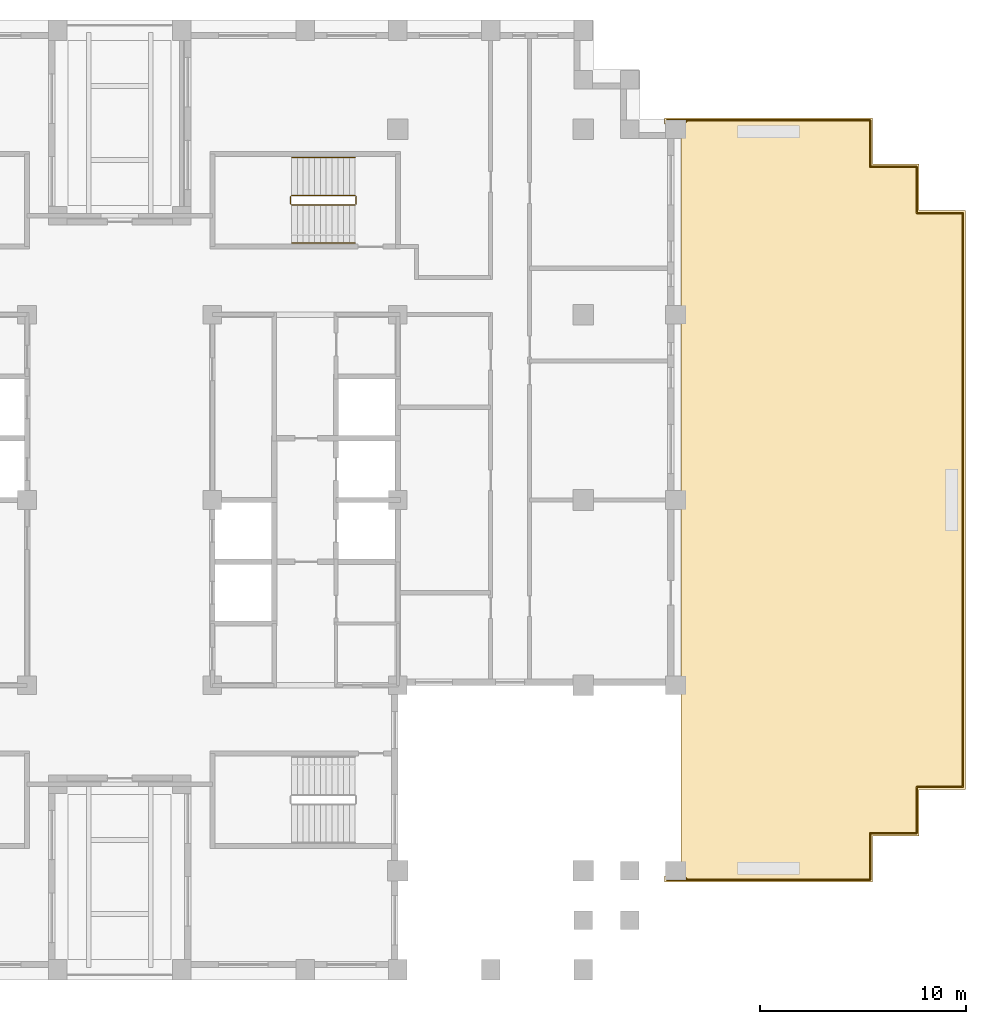
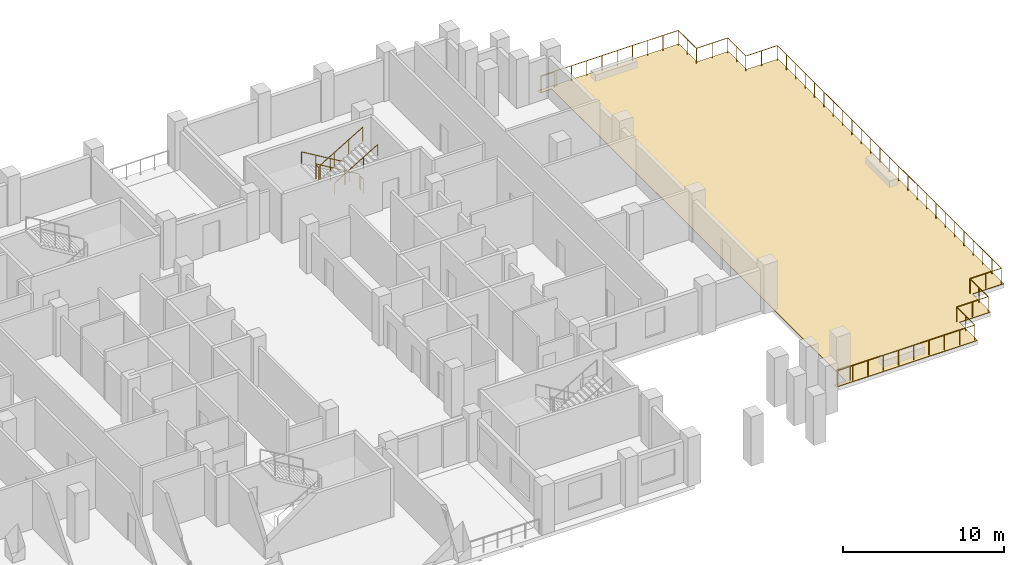
# One storey, part 12 of 12: 2 railings, 1 covering.
"""IFC4 building model written with IfcOpenShell, lengths in metres."""

import ifcopenshell
import ifcopenshell.guid

model = None  # the IFC model being written
_history = None  # IfcOwnerHistory: only IFC2X3 demands one
_inside = {}  # id of a spatial element -> (the spatial element, [elements in it])
_under = {}  # id of a project, library or spatial element -> (it, [spatial elements below it])
_declared = {}  # id of a project -> (the project, [libraries it declares])
_typed = {}  # id of a type object -> (the type object, [elements of that type])
_made_of = {}  # id of a material, layer set ... -> (it, [elements and type objects made of it])


def new_model(schema):
    """Start an empty IFC model of exactly this schema.

    Asked for "IFC4X3", IfcOpenShell would pick the latest addendum, in which some entities
    have other attributes; the version numbers below select the first issue.
    IFC2X3 requires an IfcOwnerHistory on every rooted entity: one is made here for all.
    """
    global model, _history
    if schema == "IFC4X3":
        model = ifcopenshell.file(schema_version=(4, 3, 0, 0))
    else:
        model = ifcopenshell.file(schema=schema)
    _inside.clear()
    _under.clear()
    _declared.clear()
    _typed.clear()
    _made_of.clear()
    _history = None
    if model.schema == "IFC2X3":
        org = make("IfcOrganization", Name="unknown")
        user = make(
            "IfcPersonAndOrganization",
            ThePerson=make("IfcPerson", FamilyName="unknown"),
            TheOrganization=org,
        )
        app = make(
            "IfcApplication",
            ApplicationDeveloper=org,
            Version="unknown",
            ApplicationFullName="unknown",
            ApplicationIdentifier="unknown",
        )
        _history = make(
            "IfcOwnerHistory",
            OwningUser=user,
            OwningApplication=app,
            ChangeAction="ADDED",
            CreationDate=0,
        )
    return model


def make(cls, **values):
    """One entity of the class cls with the attributes given. An attribute that is None is left unset."""
    return model.create_entity(
        cls, **{name: value for name, value in values.items() if value is not None}
    )


def rooted(cls, **values):
    """An entity with a GlobalId (a new one), such as an element, a storey or a relation."""
    return make(cls, GlobalId=ifcopenshell.guid.new(), OwnerHistory=_history, **values)


def si_unit(unit_type, name, prefix=None):
    """IfcSIUnit, for example si_unit("LENGTHUNIT", "METRE", prefix="MILLI")."""
    return make("IfcSIUnit", UnitType=unit_type, Prefix=prefix, Name=name)


def assignment(units):
    """IfcUnitAssignment: the units of a project."""
    return None if units is None else make("IfcUnitAssignment", Units=units)


def point(xyz):
    """IfcCartesianPoint."""
    return None if xyz is None else make("IfcCartesianPoint", Coordinates=xyz)


def direction(xyz):
    """IfcDirection."""
    return None if xyz is None else make("IfcDirection", DirectionRatios=xyz)


def frame(location, z_axis=None, x_axis=None):
    """IfcAxis2Placement3D, a coordinate frame: its origin and axes. An axis left out is left unset."""
    return make(
        "IfcAxis2Placement3D",
        Location=point(location),
        Axis=direction(z_axis),
        RefDirection=direction(x_axis),
    )


def frame_2d(location, x_axis=None):
    """IfcAxis2Placement2D, a coordinate frame in the plane: its origin and x axis."""
    return make(
        "IfcAxis2Placement2D", Location=point(location), RefDirection=direction(x_axis)
    )


def origin():
    """The frame at (0, 0, 0) with its axes left unset."""
    return frame((0.0, 0.0, 0.0))


def origin_2d():
    """The frame at (0, 0) in the plane with its x axis left unset."""
    return frame_2d((0.0, 0.0))


def place(relative_to, where):
    """IfcLocalPlacement: puts the frame where relative to a parent placement (None: the world)."""
    return make(
        "IfcLocalPlacement", PlacementRelTo=relative_to, RelativePlacement=where
    )


def context(
    kind, dimensions, precision=None, world=None, true_north=None, identifier=None
):
    """IfcGeometricRepresentationContext, for example the 3D "Model" context."""
    return make(
        "IfcGeometricRepresentationContext",
        ContextIdentifier=identifier,
        ContextType=kind,
        CoordinateSpaceDimension=dimensions,
        Precision=precision,
        WorldCoordinateSystem=world,
        TrueNorth=true_north,
    )


def subcontext(parent, identifier, kind, view, scale=None):
    """IfcGeometricRepresentationSubContext, for example "Body" below "Model"."""
    return make(
        "IfcGeometricRepresentationSubContext",
        ContextIdentifier=identifier,
        ContextType=kind,
        ParentContext=parent,
        TargetScale=scale,
        TargetView=view,
    )


def project(units=None, contexts=None):
    """IfcProject with its units and contexts."""
    return rooted(
        "IfcProject",
        Name="project",
        RepresentationContexts=contexts,
        UnitsInContext=assignment(units),
    )


def spatial(cls, under=None, at=None, **own):
    """A site, building, storey or space (cls), placed at a placement, below another one or the project."""
    s = rooted(cls, ObjectPlacement=at, **own)
    if under is not None:
        _under.setdefault(under.id(), (under, []))[1].append(s)
    return s


def polyline(points):
    """IfcPolyline through the points."""
    return make("IfcPolyline", Points=[point(p) for p in points])


def profile(cls, at=None, kind="AREA", **sizes):
    """A parametric profile (cls). Its sizes go by their IFC names, for example OverallWidth=200.0."""
    return make(cls, ProfileType=kind, Position=at, **sizes)


def circle(**sizes):
    """IfcCircleProfileDef."""
    return profile("IfcCircleProfileDef", **sizes)


def outline(outer, holes=None, kind="AREA"):
    """IfcArbitraryClosedProfileDef: a profile drawn as a closed curve; with holes, ...WithVoids."""
    if holes is None:
        return make("IfcArbitraryClosedProfileDef", ProfileType=kind, OuterCurve=outer)
    return make(
        "IfcArbitraryProfileDefWithVoids",
        ProfileType=kind,
        OuterCurve=outer,
        InnerCurves=holes,
    )


def extrude(swept, where, along, depth):
    """IfcExtrudedAreaSolid: the profile swept, set in the frame where, extruded along a direction by depth."""
    return make(
        "IfcExtrudedAreaSolid",
        SweptArea=swept,
        Position=where,
        ExtrudedDirection=direction(along),
        Depth=depth,
    )


def shape(context_of_items, identifier, shape_type, items):
    """IfcShapeRepresentation: the items that make up one representation, for example the "Body"."""
    return make(
        "IfcShapeRepresentation",
        ContextOfItems=context_of_items,
        RepresentationIdentifier=identifier,
        RepresentationType=shape_type,
        Items=items,
    )


def material(Name=None, Category=None):
    """IfcMaterial."""
    return make("IfcMaterial", Name=Name, Category=Category)


def layer(
    of_material, thickness, ventilated=None, Name=None, Category=None, Priority=None
):
    """IfcMaterialLayer: one layer of a wall or slab, of a material (None: an air gap)."""
    return make(
        "IfcMaterialLayer",
        Material=of_material,
        LayerThickness=thickness,
        IsVentilated=ventilated,
        Name=Name,
        Category=Category,
        Priority=Priority,
    )


def layer_set(layers, Name=None):
    """IfcMaterialLayerSet."""
    return make("IfcMaterialLayerSet", MaterialLayers=layers, LayerSetName=Name)


def made_of(thing, what):
    """Note that an element or type object is made of a material, layer set ...; save() writes the relation."""
    if what is not None:
        _made_of.setdefault(what.id(), (what, []))[1].append(thing)
    return thing


def type_object(cls, material=None, **own):
    """A type object (cls), such as IfcWallType, which elements share."""
    return made_of(rooted(cls, **own), material)


def element(
    cls,
    number,
    at=None,
    inside=None,
    cuts=None,
    type_object=None,
    material=None,
    context=None,
    identifier="Body",
    shape_type=None,
    held_by="IfcProductDefinitionShape",
    body=None,
    shapes=None,
    **own,
):
    """One element of the class cls, such as IfcWall. Its Tag is "e" and its number.

    at: its placement. inside: the storey or other place that contains it. cuts: it is an
    opening in that element (IfcRelVoidsElement). A single representation is given by context,
    identifier, shape_type and body (its items); several are given by shapes. held_by: the class
    of the entity that holds the representations. save() writes the other relations.
    """
    e = rooted(cls, Tag="e%d" % number, ObjectPlacement=at, **own)
    if body is not None:
        shapes = [shape(context, identifier, shape_type, body)]
    if shapes is not None:
        e.Representation = make(held_by, Representations=shapes)
    if inside is not None:
        _inside.setdefault(inside.id(), (inside, []))[1].append(e)
    if cuts is not None:
        rooted(
            "IfcRelVoidsElement", RelatingBuildingElement=cuts, RelatedOpeningElement=e
        )
    if type_object is not None:
        _typed.setdefault(type_object.id(), (type_object, []))[1].append(e)
    return made_of(e, material)


def aggregate(whole, parts):
    """IfcRelAggregates: a whole, such as a stair, and the parts it consists of."""
    return rooted("IfcRelAggregates", RelatingObject=whole, RelatedObjects=parts)


def save(model, path):
    """Write the relations noted so far, then the file.

    IfcRelAggregates (storeys below a building ...), IfcRelContainedInSpatialStructure (elements
    in a storey), IfcRelDefinesByType, IfcRelAssociatesMaterial and IfcRelDeclares: one each for
    every whole, place, type object, material and project.
    """
    for whole, parts in _under.values():
        aggregate(whole, parts)
    for where, things in _inside.values():
        rooted(
            "IfcRelContainedInSpatialStructure",
            RelatedElements=things,
            RelatingStructure=where,
        )
    for kind, things in _typed.values():
        rooted("IfcRelDefinesByType", RelatedObjects=things, RelatingType=kind)
    for what, things in _made_of.values():
        rooted("IfcRelAssociatesMaterial", RelatedObjects=things, RelatingMaterial=what)
    for by, libraries in _declared.values():
        rooted("IfcRelDeclares", RelatingContext=by, RelatedDefinitions=libraries)
    model.write(path)


model = new_model("IFC4")

# Units and contexts
model_context = context("Model", 3, precision=1e-05, world=origin(), true_north=direction((0.0, 1.0)))
body_context = subcontext(model_context, "Body", "Model", "MODEL_VIEW")
ifc_project = project(units=[si_unit("LENGTHUNIT", "METRE"), si_unit("AREAUNIT", "SQUARE_METRE"), si_unit("VOLUMEUNIT", "CUBIC_METRE"), si_unit("PLANEANGLEUNIT", "RADIAN"), si_unit("MASSUNIT", "GRAM", prefix="KILO")], contexts=[model_context])

# Site, building, storey
site_placement = place(None, origin())
site = spatial("IfcSite", under=ifc_project, at=site_placement, CompositionType="ELEMENT")
building_placement = place(site_placement, origin())
building = spatial("IfcBuilding", under=site, at=building_placement, Name="Corbelhall Arena Tower", CompositionType="ELEMENT")
storey_placement = place(building_placement, frame((0.0, 0.0, 184.0)))
storey = spatial("IfcBuildingStorey", under=building, at=storey_placement, Name="L37", CompositionType="ELEMENT", Elevation=184.0)

# Railing
ifc_material_1 = material(Name="Steel ASTM A500 Gr C", Category="steel")
railing_type_1 = type_object("IfcRailingType", Name="EV-GD1 Terrace guard 1100", PredefinedType="GUARDRAIL", material=ifc_material_1)
railing_1_placement = place(storey_placement, frame((27.5, 18.3701171875, 0.0400390625)))
element("IfcRailing", 1, at=railing_1_placement, inside=storey, type_object=railing_type_1, Name="Guard", PredefinedType="GUARDRAIL", context=body_context, shape_type="SweptSolid", body=[
    extrude(circle(Radius=0.02392578125, at=origin_2d()), frame((0.0, 0.0, 1.1259765625), z_axis=(-1.0, 0.0, 0.0), x_axis=(0.0, -1.0, 0.0)), (0.0, 0.0, 1.0), 0.929931640625),
    extrude(circle(Radius=0.02392578125, at=origin_2d()), frame((-0.929931640625, 0.0, 1.1259765625), z_axis=(0.0, 1.0, 0.0), x_axis=(-1.0, 0.0, 0.0)), (0.0, 0.0, 1.0), 0.059814453125),
    extrude(circle(Radius=0.02392578125, at=origin_2d()), frame((-0.929931640625, 0.059814453125, 1.1259765625), z_axis=(1.0, 0.0, 0.0), x_axis=(0.0, 1.0, 0.0)), (0.0, 0.0, 1.0), 9.85986328125),
    extrude(circle(Radius=0.02392578125, at=origin_2d()), frame((8.929931640625, 0.059814453125, 1.1259765625), z_axis=(0.0, -1.0, 0.0), x_axis=(1.0, 0.0, 0.0)), (0.0, 0.0, 1.0), 2.25),
    extrude(circle(Radius=0.02392578125, at=origin_2d()), frame((8.929931640625, -2.190185546875, 1.1259765625), z_axis=(1.0, 0.0, 0.0), x_axis=(0.0, 1.0, 0.0)), (0.0, 0.0, 1.0), 2.25),
    extrude(circle(Radius=0.02392578125, at=origin_2d()), frame((11.179931640625, -2.190185546875, 1.1259765625), z_axis=(0.0, -1.0, 0.0), x_axis=(1.0, 0.0, 0.0)), (0.0, 0.0, 1.0), 2.25),
    extrude(circle(Radius=0.02392578125, at=origin_2d()), frame((11.179931640625, -4.440185546875, 1.1259765625), z_axis=(1.0, 0.0, 0.0), x_axis=(0.0, 1.0, 0.0)), (0.0, 0.0, 1.0), 2.25),
    extrude(circle(Radius=0.02392578125, at=origin_2d()), frame((13.429931640625, -4.440185546875, 1.1259765625), z_axis=(0.0, -1.0, 0.0), x_axis=(1.0, 0.0, 0.0)), (0.0, 0.0, 1.0), 27.85986328125),
    extrude(circle(Radius=0.02392578125, at=origin_2d()), frame((13.429931640625, -32.300048828125, 1.1259765625), z_axis=(-1.0, 0.0, 0.0), x_axis=(0.0, -1.0, 0.0)), (0.0, 0.0, 1.0), 2.25),
    extrude(circle(Radius=0.02392578125, at=origin_2d()), frame((11.179931640625, -32.300048828125, 1.1259765625), z_axis=(0.0, -1.0, 0.0), x_axis=(1.0, 0.0, 0.0)), (0.0, 0.0, 1.0), 2.25),
    extrude(circle(Radius=0.02392578125, at=origin_2d()), frame((11.179931640625, -34.550048828125, 1.1259765625), z_axis=(-1.0, 0.0, 0.0), x_axis=(0.0, -1.0, 0.0)), (0.0, 0.0, 1.0), 2.25),
    extrude(circle(Radius=0.02392578125, at=origin_2d()), frame((8.929931640625, -34.550048828125, 1.1259765625), z_axis=(0.0, -1.0, 0.0), x_axis=(1.0, 0.0, 0.0)), (0.0, 0.0, 1.0), 2.25),
    extrude(circle(Radius=0.02392578125, at=origin_2d()), frame((8.929931640625, -36.800048828125, 1.1259765625), z_axis=(-1.0, 0.0, 0.0), x_axis=(0.0, -1.0, 0.0)), (0.0, 0.0, 1.0), 9.85986328125),
    extrude(circle(Radius=0.02392578125, at=origin_2d()), frame((-0.929931640625, -36.800048828125, 1.1259765625), z_axis=(0.0, 1.0, 0.0), x_axis=(-1.0, 0.0, 0.0)), (0.0, 0.0, 1.0), 0.059814453125),
    extrude(circle(Radius=0.02392578125, at=origin_2d()), frame((-0.929931640625, -36.740234375, 1.1259765625), z_axis=(1.0, 0.0, 0.0), x_axis=(0.0, 1.0, 0.0)), (0.0, 0.0, 1.0), 0.929931640625),
    extrude(circle(Radius=0.02099609375, at=origin_2d()), origin(), (0.0, 0.0, 1.0), 1.101806640625),
    extrude(circle(Radius=0.02099609375, at=origin_2d()), frame((-0.929931640625, 0.0, 0.0)), (0.0, 0.0, 1.0), 1.101806640625),
    extrude(circle(Radius=0.02099609375, at=origin_2d()), frame((-0.929931640625, 0.059814453125, 0.0)), (0.0, 0.0, 1.0), 1.101806640625),
    extrude(circle(Radius=0.02099609375, at=origin_2d()), frame((0.16552734375, 0.059814453125, 0.0)), (0.0, 0.0, 1.0), 1.101806640625),
    extrude(circle(Radius=0.02099609375, at=origin_2d()), frame((1.26123046875, 0.059814453125, 0.0)), (0.0, 0.0, 1.0), 1.101806640625),
    extrude(circle(Radius=0.02099609375, at=origin_2d()), frame((2.356689453125, 0.059814453125, 0.0)), (0.0, 0.0, 1.0), 1.101806640625),
    extrude(circle(Radius=0.02099609375, at=origin_2d()), frame((3.4521484375, 0.059814453125, 0.0)), (0.0, 0.0, 1.0), 1.101806640625),
    extrude(circle(Radius=0.02099609375, at=origin_2d()), frame((4.5478515625, 0.059814453125, 0.0)), (0.0, 0.0, 1.0), 1.101806640625),
    extrude(circle(Radius=0.02099609375, at=origin_2d()), frame((5.643310546875, 0.059814453125, 0.0)), (0.0, 0.0, 1.0), 1.101806640625),
    extrude(circle(Radius=0.02099609375, at=origin_2d()), frame((6.73876953125, 0.059814453125, 0.0)), (0.0, 0.0, 1.0), 1.101806640625),
    extrude(circle(Radius=0.02099609375, at=origin_2d()), frame((7.83447265625, 0.059814453125, 0.0)), (0.0, 0.0, 1.0), 1.101806640625),
    extrude(circle(Radius=0.02099609375, at=origin_2d()), frame((8.929931640625, 0.059814453125, 0.0)), (0.0, 0.0, 1.0), 1.101806640625),
    extrude(circle(Radius=0.02099609375, at=origin_2d()), frame((8.929931640625, -1.065185546875, 0.0)), (0.0, 0.0, 1.0), 1.101806640625),
    extrude(circle(Radius=0.02099609375, at=origin_2d()), frame((8.929931640625, -2.190185546875, 0.0)), (0.0, 0.0, 1.0), 1.101806640625),
    extrude(circle(Radius=0.02099609375, at=origin_2d()), frame((10.054931640625, -2.190185546875, 0.0)), (0.0, 0.0, 1.0), 1.101806640625),
    extrude(circle(Radius=0.02099609375, at=origin_2d()), frame((11.179931640625, -2.190185546875, 0.0)), (0.0, 0.0, 1.0), 1.101806640625),
    extrude(circle(Radius=0.02099609375, at=origin_2d()), frame((11.179931640625, -3.315185546875, 0.0)), (0.0, 0.0, 1.0), 1.101806640625),
    extrude(circle(Radius=0.02099609375, at=origin_2d()), frame((11.179931640625, -4.440185546875, 0.0)), (0.0, 0.0, 1.0), 1.101806640625),
    extrude(circle(Radius=0.02099609375, at=origin_2d()), frame((12.304931640625, -4.440185546875, 0.0)), (0.0, 0.0, 1.0), 1.101806640625),
    extrude(circle(Radius=0.02099609375, at=origin_2d()), frame((13.429931640625, -4.440185546875, 0.0)), (0.0, 0.0, 1.0), 1.101806640625),
    extrude(circle(Radius=0.02099609375, at=origin_2d()), frame((13.429931640625, -5.60107421875, 0.0)), (0.0, 0.0, 1.0), 1.101806640625),
    extrude(circle(Radius=0.02099609375, at=origin_2d()), frame((13.429931640625, -6.76171875, 0.0)), (0.0, 0.0, 1.0), 1.101806640625),
    extrude(circle(Radius=0.02099609375, at=origin_2d()), frame((13.429931640625, -7.922607421875, 0.0)), (0.0, 0.0, 1.0), 1.101806640625),
    extrude(circle(Radius=0.02099609375, at=origin_2d()), frame((13.429931640625, -9.08349609375, 0.0)), (0.0, 0.0, 1.0), 1.101806640625),
    extrude(circle(Radius=0.02099609375, at=origin_2d()), frame((13.429931640625, -10.244384765625, 0.0)), (0.0, 0.0, 1.0), 1.101806640625),
    extrude(circle(Radius=0.02099609375, at=origin_2d()), frame((13.429931640625, -11.4052734375, 0.0)), (0.0, 0.0, 1.0), 1.101806640625),
    extrude(circle(Radius=0.02099609375, at=origin_2d()), frame((13.429931640625, -12.56591796875, 0.0)), (0.0, 0.0, 1.0), 1.101806640625),
    extrude(circle(Radius=0.02099609375, at=origin_2d()), frame((13.429931640625, -13.726806640625, 0.0)), (0.0, 0.0, 1.0), 1.101806640625),
    extrude(circle(Radius=0.02099609375, at=origin_2d()), frame((13.429931640625, -14.8876953125, 0.0)), (0.0, 0.0, 1.0), 1.101806640625),
    extrude(circle(Radius=0.02099609375, at=origin_2d()), frame((13.429931640625, -16.04833984375, 0.0)), (0.0, 0.0, 1.0), 1.101806640625),
    extrude(circle(Radius=0.02099609375, at=origin_2d()), frame((13.429931640625, -17.209228515625, 0.0)), (0.0, 0.0, 1.0), 1.101806640625),
    extrude(circle(Radius=0.02099609375, at=origin_2d()), frame((13.429931640625, -18.3701171875, 0.0)), (0.0, 0.0, 1.0), 1.101806640625),
    extrude(circle(Radius=0.02099609375, at=origin_2d()), frame((13.429931640625, -19.531005859375, 0.0)), (0.0, 0.0, 1.0), 1.101806640625),
    extrude(circle(Radius=0.02099609375, at=origin_2d()), frame((13.429931640625, -20.69189453125, 0.0)), (0.0, 0.0, 1.0), 1.101806640625),
    extrude(circle(Radius=0.02099609375, at=origin_2d()), frame((13.429931640625, -21.8525390625, 0.0)), (0.0, 0.0, 1.0), 1.101806640625),
    extrude(circle(Radius=0.02099609375, at=origin_2d()), frame((13.429931640625, -23.013427734375, 0.0)), (0.0, 0.0, 1.0), 1.101806640625),
    extrude(circle(Radius=0.02099609375, at=origin_2d()), frame((13.429931640625, -24.17431640625, 0.0)), (0.0, 0.0, 1.0), 1.101806640625),
    extrude(circle(Radius=0.02099609375, at=origin_2d()), frame((13.429931640625, -25.3349609375, 0.0)), (0.0, 0.0, 1.0), 1.101806640625),
    extrude(circle(Radius=0.02099609375, at=origin_2d()), frame((13.429931640625, -26.495849609375, 0.0)), (0.0, 0.0, 1.0), 1.101806640625),
    extrude(circle(Radius=0.02099609375, at=origin_2d()), frame((13.429931640625, -27.65673828125, 0.0)), (0.0, 0.0, 1.0), 1.101806640625),
    extrude(circle(Radius=0.02099609375, at=origin_2d()), frame((13.429931640625, -28.817626953125, 0.0)), (0.0, 0.0, 1.0), 1.101806640625),
    extrude(circle(Radius=0.02099609375, at=origin_2d()), frame((13.429931640625, -29.978515625, 0.0)), (0.0, 0.0, 1.0), 1.101806640625),
    extrude(circle(Radius=0.02099609375, at=origin_2d()), frame((13.429931640625, -31.13916015625, 0.0)), (0.0, 0.0, 1.0), 1.101806640625),
    extrude(circle(Radius=0.02099609375, at=origin_2d()), frame((13.429931640625, -32.300048828125, 0.0)), (0.0, 0.0, 1.0), 1.101806640625),
    extrude(circle(Radius=0.02099609375, at=origin_2d()), frame((12.304931640625, -32.300048828125, 0.0)), (0.0, 0.0, 1.0), 1.101806640625),
    extrude(circle(Radius=0.02099609375, at=origin_2d()), frame((11.179931640625, -32.300048828125, 0.0)), (0.0, 0.0, 1.0), 1.101806640625),
    extrude(circle(Radius=0.02099609375, at=origin_2d()), frame((11.179931640625, -33.425048828125, 0.0)), (0.0, 0.0, 1.0), 1.101806640625),
    extrude(circle(Radius=0.02099609375, at=origin_2d()), frame((11.179931640625, -34.550048828125, 0.0)), (0.0, 0.0, 1.0), 1.101806640625),
    extrude(circle(Radius=0.02099609375, at=origin_2d()), frame((10.054931640625, -34.550048828125, 0.0)), (0.0, 0.0, 1.0), 1.101806640625),
    extrude(circle(Radius=0.02099609375, at=origin_2d()), frame((8.929931640625, -34.550048828125, 0.0)), (0.0, 0.0, 1.0), 1.101806640625),
    extrude(circle(Radius=0.02099609375, at=origin_2d()), frame((8.929931640625, -35.675048828125, 0.0)), (0.0, 0.0, 1.0), 1.101806640625),
    extrude(circle(Radius=0.02099609375, at=origin_2d()), frame((8.929931640625, -36.800048828125, 0.0)), (0.0, 0.0, 1.0), 1.101806640625),
    extrude(circle(Radius=0.02099609375, at=origin_2d()), frame((7.83447265625, -36.800048828125, 0.0)), (0.0, 0.0, 1.0), 1.101806640625),
    extrude(circle(Radius=0.02099609375, at=origin_2d()), frame((6.73876953125, -36.800048828125, 0.0)), (0.0, 0.0, 1.0), 1.101806640625),
    extrude(circle(Radius=0.02099609375, at=origin_2d()), frame((5.643310546875, -36.800048828125, 0.0)), (0.0, 0.0, 1.0), 1.101806640625),
    extrude(circle(Radius=0.02099609375, at=origin_2d()), frame((4.5478515625, -36.800048828125, 0.0)), (0.0, 0.0, 1.0), 1.101806640625),
    extrude(circle(Radius=0.02099609375, at=origin_2d()), frame((3.4521484375, -36.800048828125, 0.0)), (0.0, 0.0, 1.0), 1.101806640625),
    extrude(circle(Radius=0.02099609375, at=origin_2d()), frame((2.356689453125, -36.800048828125, 0.0)), (0.0, 0.0, 1.0), 1.101806640625),
    extrude(circle(Radius=0.02099609375, at=origin_2d()), frame((1.26123046875, -36.800048828125, 0.0)), (0.0, 0.0, 1.0), 1.101806640625),
    extrude(circle(Radius=0.02099609375, at=origin_2d()), frame((0.16552734375, -36.800048828125, 0.0)), (0.0, 0.0, 1.0), 1.101806640625),
    extrude(circle(Radius=0.02099609375, at=origin_2d()), frame((-0.929931640625, -36.800048828125, 0.0)), (0.0, 0.0, 1.0), 1.101806640625),
    extrude(circle(Radius=0.02099609375, at=origin_2d()), frame((-0.929931640625, -36.740234375, 0.0)), (0.0, 0.0, 1.0), 1.101806640625),
    extrude(circle(Radius=0.02099609375, at=origin_2d()), frame((0.0, -36.740234375, 0.0)), (0.0, 0.0, 1.0), 1.101806640625),
])

# Covering
ifc_material_2 = material(Name="Granite paving", Category="masonry")
ifc_layer = layer(ifc_material_2, 0.0400390625)
ifc_layer_set = layer_set([ifc_layer], Name="EV-PV1 Terrace paving 40")
covering_type = type_object("IfcCoveringType", Name="EV-PV1 Terrace paving 40", PredefinedType="FLOORING", material=ifc_layer_set)
covering_placement = place(storey_placement, origin())
element("IfcCovering", 2, at=covering_placement, inside=storey, type_object=covering_type, Name="Terrace paving", PredefinedType="FLOORING", context=body_context, shape_type="SweptSolid", body=[
    extrude(outline(polyline([(26.449951171875, -18.25), (27.25, -18.25), (27.25, 18.25), (26.449951171875, 18.25), (26.449951171875, 18.550048828125), (36.550048828125, 18.550048828125), (36.550048828125, 16.300048828125), (38.800048828125, 16.300048828125), (38.800048828125, 14.050048828125), (41.050048828125, 14.050048828125), (41.050048828125, -14.050048828125), (38.800048828125, -14.050048828125), (38.800048828125, -16.300048828125), (36.550048828125, -16.300048828125), (36.550048828125, -18.550048828125), (26.449951171875, -18.550048828125), (26.449951171875, -18.25)])), origin(), (0.0, 0.0, 1.0), 0.0400390625),
])

# Railing
railing_type_2 = type_object("IfcRailingType", Name="IN-GD-1100", PredefinedType="GUARDRAIL", material=ifc_material_1)
railing_2_placement = place(storey_placement, frame((11.425048828125, 14.77490234375, 0.166748046875)))
element("IfcRailing", 3, at=railing_2_placement, inside=storey, type_object=railing_type_2, Name="L37 ST3 stair guards and handrails", PredefinedType="GUARDRAIL", context=body_context, shape_type="SweptSolid", body=[
    extrude(circle(Radius=0.02392578125, at=origin_2d()), frame((0.0, 0.0, 1.076171875), z_axis=(-0.859308565015, 0.0, 0.511457515432), x_axis=(0.0, -1.0, 0.0)), (0.0, 0.0, 1.0), 3.58447265625),
    extrude(circle(Radius=0.02392578125, at=origin_2d()), frame((-3.130126953125, -0.0498046875, 2.9091796875), z_axis=(0.0, -1.0, 0.0), x_axis=(1.0, 0.0, 0.0)), (0.0, 0.0, 1.0), 0.35009765625),
    extrude(circle(Radius=0.02392578125, at=origin_2d()), frame((-3.080078125, -0.449951171875, 3.076171875), z_axis=(0.859308565015, 0.0, 0.511457515432), x_axis=(0.0, 1.0, 0.0)), (0.0, 0.0, 1.0), 3.58447265625),
    extrude(circle(Radius=0.02392578125, at=origin_2d()), frame((0.050048828125, -0.0498046875, 0.9091796875), z_axis=(0.0, -1.0, 0.0), x_axis=(1.0, 0.0, 0.0)), (0.0, 0.0, 1.0), 0.35009765625),
    extrude(circle(Radius=0.02392578125, at=origin_2d()), frame((0.0, 1.85009765625, 0.8759765625), z_axis=(-0.859308565015, 0.0, 0.511457515432), x_axis=(0.0, -1.0, 0.0)), (0.0, 0.0, 1.0), 3.58447265625),
    extrude(circle(Radius=0.02392578125, at=origin_2d()), frame((-3.080078125, -2.2998046875, 2.8759765625), z_axis=(0.859308565015, 0.0, 0.511457515432), x_axis=(0.0, 1.0, 0.0)), (0.0, 0.0, 1.0), 3.58447265625),
    extrude(circle(Radius=0.02099609375, at=origin_2d()), origin(), (0.0, 0.0, 1.0), 1.052001953125),
    extrude(circle(Radius=0.02099609375, at=origin_2d()), frame((-1.026611328125, 0.0, 0.611083984375)), (0.0, 0.0, 1.0), 1.052001953125),
    extrude(circle(Radius=0.02099609375, at=origin_2d()), frame((-2.053466796875, 0.0, 1.22216796875)), (0.0, 0.0, 1.0), 1.052001953125),
    extrude(circle(Radius=0.02099609375, at=origin_2d()), frame((-3.080078125, 0.0, 1.833251953125)), (0.0, 0.0, 1.0), 1.052001953125),
    extrude(circle(Radius=0.02099609375, at=origin_2d()), frame((-3.130126953125, -0.0498046875, 1.833251953125)), (0.0, 0.0, 1.0), 1.052001953125),
    extrude(circle(Radius=0.02099609375, at=origin_2d()), frame((-3.130126953125, -0.39990234375, 1.833251953125)), (0.0, 0.0, 1.0), 1.052001953125),
    extrude(circle(Radius=0.02099609375, at=origin_2d()), frame((-3.080078125, -0.449951171875, 2.0)), (0.0, 0.0, 1.0), 1.052001953125),
    extrude(circle(Radius=0.02099609375, at=origin_2d()), frame((-2.053466796875, -0.449951171875, 2.611083984375)), (0.0, 0.0, 1.0), 1.052001953125),
    extrude(circle(Radius=0.02099609375, at=origin_2d()), frame((-1.026611328125, -0.449951171875, 3.22216796875)), (0.0, 0.0, 1.0), 1.052001953125),
    extrude(circle(Radius=0.02099609375, at=origin_2d()), frame((0.0, -0.449951171875, 3.833251953125)), (0.0, 0.0, 1.0), 1.052001953125),
    extrude(circle(Radius=0.02099609375, at=origin_2d()), frame((0.050048828125, -0.0498046875, -0.166748046875)), (0.0, 0.0, 1.0), 1.052001953125),
    extrude(circle(Radius=0.02099609375, at=origin_2d()), frame((0.050048828125, -0.39990234375, -0.166748046875)), (0.0, 0.0, 1.0), 1.052001953125),
    extrude(circle(Radius=0.02099609375, at=origin_2d()), frame((0.0, 1.85009765625, 0.0)), (0.0, 0.0, 1.0), 0.851806640625),
    extrude(circle(Radius=0.02099609375, at=origin_2d()), frame((-1.026611328125, 1.85009765625, 0.611083984375)), (0.0, 0.0, 1.0), 0.851806640625),
    extrude(circle(Radius=0.02099609375, at=origin_2d()), frame((-2.053466796875, 1.85009765625, 1.22216796875)), (0.0, 0.0, 1.0), 0.851806640625),
    extrude(circle(Radius=0.02099609375, at=origin_2d()), frame((-3.080078125, 1.85009765625, 1.833251953125)), (0.0, 0.0, 1.0), 0.851806640625),
    extrude(circle(Radius=0.02099609375, at=origin_2d()), frame((-3.080078125, -2.2998046875, 2.0)), (0.0, 0.0, 1.0), 0.851806640625),
    extrude(circle(Radius=0.02099609375, at=origin_2d()), frame((-2.053466796875, -2.2998046875, 2.611083984375)), (0.0, 0.0, 1.0), 0.851806640625),
    extrude(circle(Radius=0.02099609375, at=origin_2d()), frame((-1.026611328125, -2.2998046875, 3.22216796875)), (0.0, 0.0, 1.0), 0.851806640625),
    extrude(circle(Radius=0.02099609375, at=origin_2d()), frame((0.0, -2.2998046875, 3.833251953125)), (0.0, 0.0, 1.0), 0.851806640625),
])

save(model, "model.ifc")
